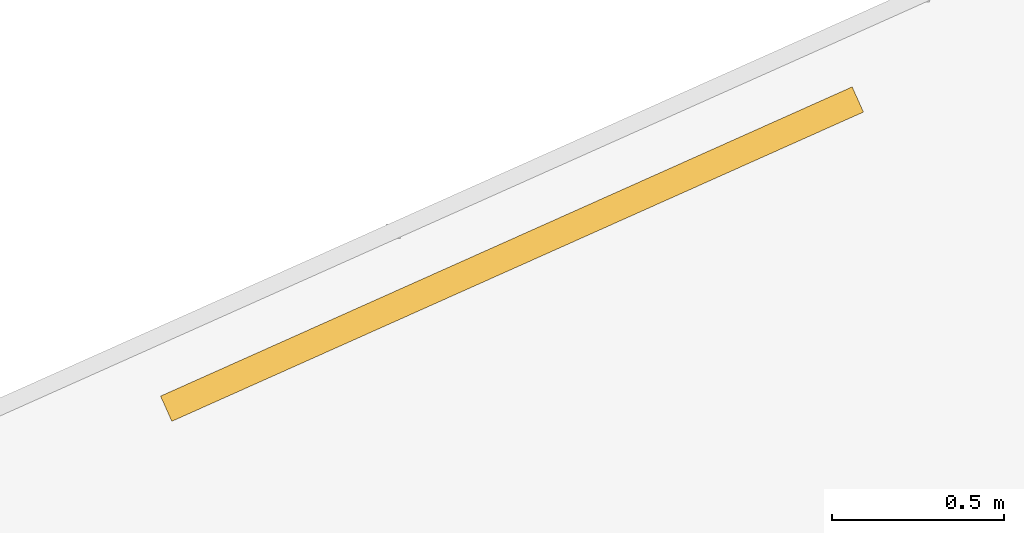
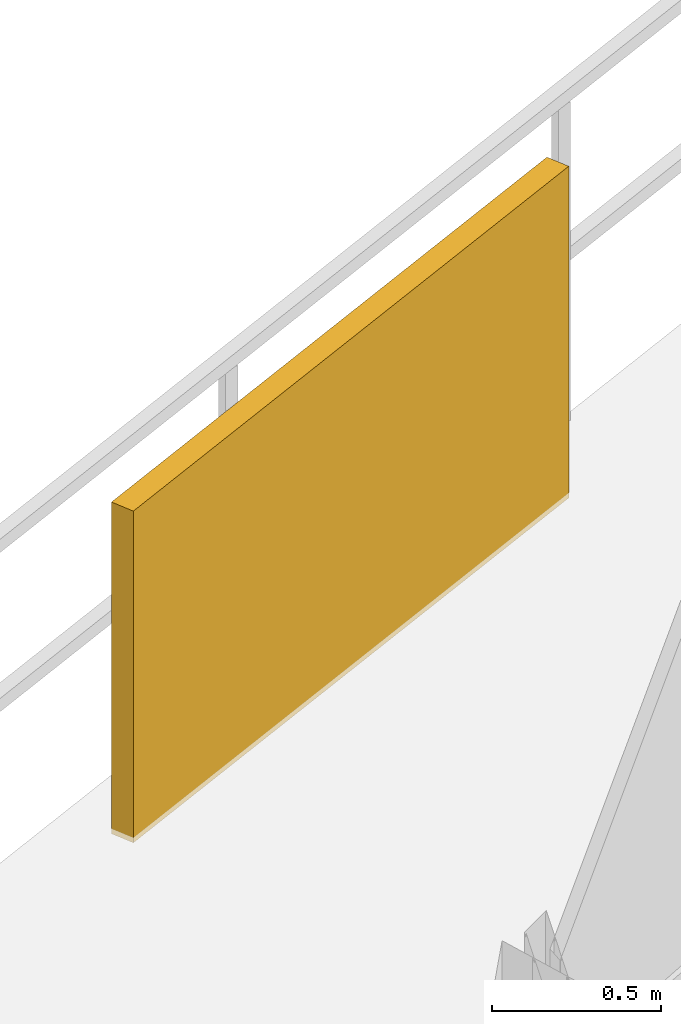
# One storey, part 26 of 27: 1 shading device.
"""IFC4 building model written with IfcOpenShell, lengths in metres."""

from ifc_helpers import new_model, si_unit, direction, frame, origin, origin_2d, place, context, subcontext, project, spatial, rectangle, extrude, material, type_object, element, save


model = new_model("IFC4")

# Units and contexts
model_context = context("Model", 3, precision=1e-05, world=origin(), true_north=direction((0.0, 1.0)))
body_context = subcontext(model_context, "Body", "Model", "MODEL_VIEW")
ifc_project = project(units=[si_unit("LENGTHUNIT", "METRE"), si_unit("AREAUNIT", "SQUARE_METRE"), si_unit("VOLUMEUNIT", "CUBIC_METRE"), si_unit("PLANEANGLEUNIT", "RADIAN"), si_unit("MASSUNIT", "GRAM", prefix="KILO")], contexts=[model_context])

# Site, building, storey
site_placement = place(None, origin())
site = spatial("IfcSite", under=ifc_project, at=site_placement, CompositionType="ELEMENT")
building_placement = place(site_placement, origin())
building = spatial("IfcBuilding", under=site, at=building_placement, Name="Vorneva Point Tower", CompositionType="ELEMENT")
storey_placement = place(building_placement, frame((0.0, 0.0, 74.300048828125)))
storey = spatial("IfcBuildingStorey", under=building, at=storey_placement, Name="L19", CompositionType="ELEMENT", Elevation=74.300048828125)

# Shading device
ifc_material = material(Name="Pale anodised aluminium", Category="aluminium")
shading_device_type = type_object("IfcShadingDeviceType", Name="SHD-JAL-1200", PredefinedType="JALOUSIE", material=ifc_material)
shading_device_placement = place(storey_placement, frame((20.035400390625, 42.31640625, -0.02001953125), z_axis=(0.0, 0.0, 1.0), x_axis=(-0.91289830637, -0.408187067687, 0.0)))
element("IfcShadingDevice", 1, at=shading_device_placement, inside=storey, type_object=shading_device_type, Name="L19 Balcony Vertical-Greenery Planter Screen NW.2", PredefinedType="JALOUSIE", context=body_context, shape_type="SweptSolid", body=[
    extrude(rectangle(XDim=2.199951171875, YDim=0.080078125, at=origin_2d()), origin(), (0.0, 0.0, 1.0), 1.199951171875),
])

save(model, "model.ifc")
